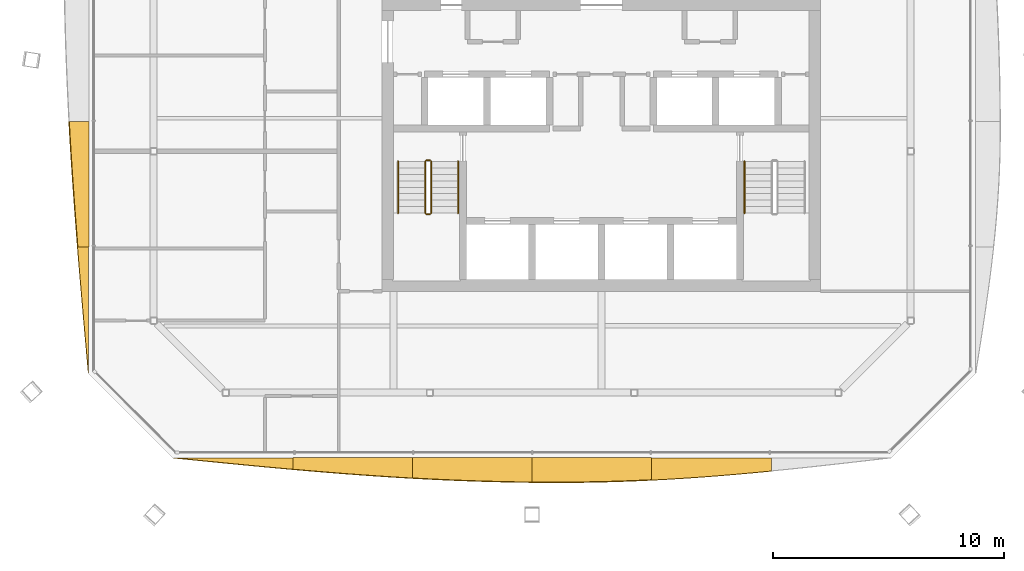
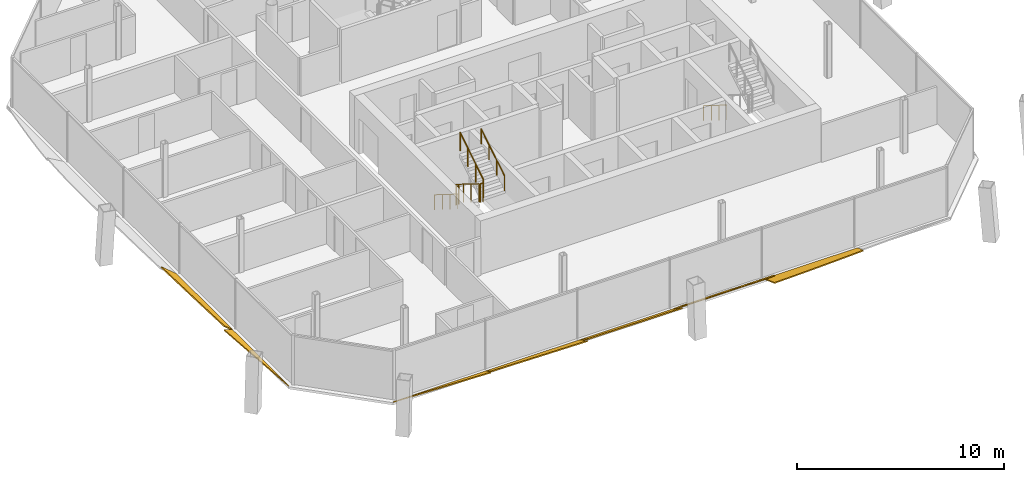
# One storey, part 15 of 18: 7 railings, 7 shading devices.
"""IFC4 building model written with IfcOpenShell, lengths in metres."""

from ifc_helpers import new_model, si_unit, direction, frame, origin, origin_2d, place, context, subcontext, project, spatial, polyline, circle, outline, extrude, material, layer, layer_set, type_object, element, save


model = new_model("IFC4")

# Units and contexts
model_context = context("Model", 3, precision=1e-05, world=origin(), true_north=direction((0.0, 1.0)))
body_context = subcontext(model_context, "Body", "Model", "MODEL_VIEW")
ifc_project = project(units=[si_unit("LENGTHUNIT", "METRE"), si_unit("AREAUNIT", "SQUARE_METRE"), si_unit("VOLUMEUNIT", "CUBIC_METRE"), si_unit("PLANEANGLEUNIT", "RADIAN"), si_unit("MASSUNIT", "GRAM", prefix="KILO")], contexts=[model_context])

# Site, building, storey
site_placement = place(None, origin())
site = spatial("IfcSite", under=ifc_project, at=site_placement, CompositionType="ELEMENT")
building_placement = place(site_placement, origin())
building = spatial("IfcBuilding", under=site, at=building_placement, Name="Tskaro Facet Tower", CompositionType="ELEMENT")
storey_placement = place(building_placement, frame((0.0, 0.0, 223.5)))
storey = spatial("IfcBuildingStorey", under=building, at=storey_placement, Name="L57", CompositionType="ELEMENT", Elevation=223.5)

# Shading devices
ifc_material_1 = material(Name="Bronze anodised aluminium 6063-T6", Category="aluminium")
ifc_layer = layer(ifc_material_1, 0.06005859375, Name="Bronze anodised aluminium 6063-T6")
ifc_layer_set = layer_set([ifc_layer], Name="Bronze anodised aluminium 6063-T6")
shading_device_type = type_object("IfcShadingDeviceType", Name="Bronze sun blade (FN1)", PredefinedType="USERDEFINED", material=ifc_layer_set)
shading_device_1_placement = place(storey_placement, frame((-18.5390625, -19.209716796875, 0.054443359375), z_axis=(2.1691242e-05, 0.422610438471, 0.906311434787), x_axis=(0.999999999765, -9.166945e-06, -1.965902e-05)))
element("IfcShadingDevice", 1, at=shading_device_1_placement, inside=storey, type_object=shading_device_type, Name="Fin blade south 1", ObjectType="FIN", PredefinedType="USERDEFINED", context=body_context, shape_type="SweptSolid", body=[
    extrude(outline(polyline([(0.0, 0.0), (5.179687498781453, 8.774731937962518e-21), (5.179687501230502, -0.5513647133400102), (4.43969726335591, -0.4776340349004652), (3.699707031574956, -0.40161733505641567), (2.959960939151475, -0.32374223400125546), (2.2199707000360163, -0.24411190811158856), (1.4799804686051834, -0.16350825077155295), (0.7399902330218208, -0.08191634729417129), (0.0, 0.0)])), origin(), (0.0, 0.0, -1.0), 0.06005859375),
])
shading_device_2_placement = place(storey_placement, frame((-13.359375, -19.205078125, 0.052001953125), z_axis=(1.7703892e-05, 0.499970297768, 0.866042551516), x_axis=(0.999999999843, -8.85142e-06, -1.5332324e-05)))
element("IfcShadingDevice", 2, at=shading_device_2_placement, inside=storey, type_object=shading_device_type, Name="Fin blade south 2", ObjectType="FIN", PredefinedType="USERDEFINED", context=body_context, shape_type="SweptSolid", body=[
    extrude(outline(polyline([(0.0, 0.0), (5.1796874991882715, 0.0), (5.1796875011842465, -1.0192987984321222), (4.439697265661819, -0.9688792287485695), (3.6997070308349738, -0.9136446135678136), (2.9599609357464174, -0.8539284521206895), (2.21997070346821, -0.7901536167468706), (1.4799804671388268, -0.7225642335683524), (0.7399902348234937, -0.651461111863811), (-9.642758718075752e-10, -0.5770883777552414), (0.0, 0.0)])), origin(), (0.0, 0.0, -1.0), 0.06005859375),
])
shading_device_3_placement = place(storey_placement, frame((-8.1796875, -19.20068359375, 0.049072265625), z_axis=(-6.791143e-06, 0.573640452218, 0.81910721614), x_axis=(0.999999999977, 3.895674e-06, 5.562674e-06)))
element("IfcShadingDevice", 3, at=shading_device_3_placement, inside=storey, type_object=shading_device_type, Name="Fin blade south 3", ObjectType="FIN", PredefinedType="USERDEFINED", context=body_context, shape_type="SweptSolid", body=[
    extrude(outline(polyline([(0.0, 0.0), (5.179687499880558, 0.0), (5.1796874998729985, -1.292970409564638), (4.439697266076774, -1.2805099417439865), (3.699707031475385, -1.2614091892575143), (2.959716796882797, -1.2363482046776781), (2.219970702924004, -1.205326988004478), (1.479980468349017, -1.1683455392379132), (0.7399902341898131, -1.1257438846642125), (-5.046999097129985e-10, -1.077722001631071), (0.0, 0.0)])), origin(), (0.0, 0.0, -1.0), 0.06005859375),
])
shading_device_4_placement = place(storey_placement, frame((-3.0, -19.196533203125, 0.0458984375), z_axis=(8.26036e-06, 0.642872858792, 0.765972902497), x_axis=(0.999999999966, -5.310361e-06, -6.327212e-06)))
element("IfcShadingDevice", 4, at=shading_device_4_placement, inside=storey, type_object=shading_device_type, Name="Fin blade south 4", ObjectType="FIN", PredefinedType="USERDEFINED", context=body_context, shape_type="SweptSolid", body=[
    extrude(outline(polyline([(0.0, 0.0), (5.179687499823286, 0.0), (5.179687500314043, -1.2567132432777803), (4.439697265937462, -1.3003823512878716), (3.699707030291854, -1.3358933476034545), (2.9597167967149294, -1.3625883729767345), (2.219970702990477, -1.3804373736861035), (1.4799804678685133, -1.3894403497315615), (1.118896485602273, -1.3905022729072747), (0.7399902348152344, -1.3896273548347164), (-2.518372239245008e-10, -1.3826881176974681), (0.0, 0.0)])), origin(), (0.0, 0.0, -1.0), 0.06005859375),
])
shading_device_5_placement = place(storey_placement, frame((2.1796875, -19.214599609375, 0.056396484375), z_axis=(-4.392007e-06, 0.342057498777, 0.939679023662), x_axis=(0.99999999999, 1.502319e-06, 4.127077e-06)))
element("IfcShadingDevice", 5, at=shading_device_5_placement, inside=storey, type_object=shading_device_type, Name="Fin blade south 5", ObjectType="FIN", PredefinedType="USERDEFINED", context=body_context, shape_type="SweptSolid", body=[
    extrude(outline(polyline([(0.0, 0.0), (5.179687499950043, -1.0968414922453147e-21), (5.1796874997005755, -0.6061225533911162), (4.439697265130785, -0.6811917123786616), (3.6997070317582668, -0.751943285698161), (2.95971679692704, -0.8178973291308614), (2.2197265627450227, -0.8784491113358853), (1.479980468188814, -0.9332021982260178), (0.7399902347571482, -0.9818647824160581), (-3.145160909695959e-10, -1.0244157473355306), (0.0, 0.0)])), origin(), (0.0, 0.0, -1.0), 0.06005859375),
])
shading_device_6_placement = place(storey_placement, frame((-22.196533203125, -4.63818359375, 0.0458984375), z_axis=(0.64287179726, -1.39534e-06, 0.765973793472), x_axis=(-8.97025e-07, -0.999999999999, -1.068794e-06)))
element("IfcShadingDevice", 6, at=shading_device_6_placement, inside=storey, type_object=shading_device_type, Name="Fin blade west 4", ObjectType="FIN", PredefinedType="USERDEFINED", context=body_context, shape_type="SweptSolid", body=[
    extrude(outline(polyline([(0.0, 0.0), (5.450439453119694, -5.770877242264482e-22), (5.450439453115648, -0.614837130706472), (4.769042968648191, -0.685014258894265), (4.087890625057348, -0.7531276484237573), (3.4064941406551195, -0.818803288653605), (2.725097656327441, -0.8818842284614297), (2.0439453125222493, -0.9418395060835093), (1.3625488282085443, -0.9988561268405161), (0.6813964841983247, -1.052560080091106), (-1.7536361853618117e-11, -1.1028244689111943), (0.0, 0.0)])), origin(), (0.0, 0.0, -1.0), 0.06005859375),
])
shading_device_7_placement = place(storey_placement, frame((-22.214599609375, -10.088623046875, 0.056396484375), z_axis=(0.341993027702, 1.416035e-06, 0.939702489622), x_axis=(4.84274e-07, -0.999999999999, 1.330652e-06)))
element("IfcShadingDevice", 7, at=shading_device_7_placement, inside=storey, type_object=shading_device_type, Name="Fin blade west 5", ObjectType="FIN", PredefinedType="USERDEFINED", context=body_context, shape_type="SweptSolid", body=[
    extrude(outline(polyline([(0.0, 0.0), (5.450439453119536, 0.0), (4.769042968868522, -0.06472345835863041), (4.08789062491764, -0.1293634223257319), (3.406494140578222, -0.19354454718657235), (2.7250976561503992, -0.2571833385496229), (2.043945312495634, -0.31982095730862237), (1.3625488282456957, -0.3816868230167014), (0.681396484355545, -0.4419256882314106), (-1.1547711851291381e-11, -0.5011633808420688), (0.0, 0.0)])), origin(), (0.0, 0.0, -1.0), 0.06005859375),
])

# Railings
ifc_material_2 = material(Name="Stainless steel", Category="steel")
railing_type_1 = type_object("IfcRailingType", Name="RL-GUARD-1100", PredefinedType="GUARDRAIL", material=ifc_material_2)
railing_1_placement = place(storey_placement, frame((-7.625, -6.375, 0.175048828125)))
element("IfcRailing", 8, at=railing_1_placement, inside=storey, type_object=railing_type_1, Name="L57 ST-1 stair guard 1", PredefinedType="GUARDRAIL", context=body_context, shape_type="SweptSolid", body=[
    extrude(circle(Radius=0.02392578125, at=origin_2d()), frame((0.0, 0.0, 1.076171875), z_axis=(0.0, -0.848013881152, 0.529974015752), x_axis=(1.0, 0.0, 0.0)), (0.0, 0.0, 1.0), 2.641357421875),
    extrude(circle(Radius=0.02099609375, at=origin_2d()), origin(), (0.0, 0.0, 1.0), 1.052001953125),
    extrude(circle(Radius=0.02099609375, at=origin_2d()), frame((0.0, -0.74658203125, 0.466552734375)), (0.0, 0.0, 1.0), 1.052001953125),
    extrude(circle(Radius=0.02099609375, at=origin_2d()), frame((0.0, -1.493408203125, 0.933349609375)), (0.0, 0.0, 1.0), 1.052001953125),
    extrude(circle(Radius=0.02099609375, at=origin_2d()), frame((0.0, -2.239990234375, 1.39990234375)), (0.0, 0.0, 1.0), 1.052001953125),
])
railing_2_placement = place(storey_placement, frame((-7.574951171875, -8.6650390625, 1.574951171875)))
element("IfcRailing", 9, at=railing_2_placement, inside=storey, type_object=railing_type_1, Name="L57 ST-1 stair guard 2", PredefinedType="GUARDRAIL", context=body_context, shape_type="SweptSolid", body=[
    extrude(circle(Radius=0.02392578125, at=origin_2d()), frame((0.0, 0.0, 1.076171875), z_axis=(1.0, 0.0, 0.0), x_axis=(0.0, 1.0, 0.0)), (0.0, 0.0, 1.0), 0.14990234375),
    extrude(circle(Radius=0.02099609375, at=origin_2d()), origin(), (0.0, 0.0, 1.0), 1.052001953125),
    extrude(circle(Radius=0.02099609375, at=origin_2d()), frame((0.14990234375, 0.0, 0.0)), (0.0, 0.0, 1.0), 1.052001953125),
])
railing_3_placement = place(storey_placement, frame((-7.375, -8.614990234375, 1.75)))
element("IfcRailing", 10, at=railing_3_placement, inside=storey, type_object=railing_type_1, Name="L57 ST-1 stair guard 3", PredefinedType="GUARDRAIL", context=body_context, shape_type="SweptSolid", body=[
    extrude(circle(Radius=0.02392578125, at=origin_2d()), frame((0.0, 0.0, 1.076171875), z_axis=(0.0, 0.848013881152, 0.529974015752), x_axis=(-1.0, 0.0, 0.0)), (0.0, 0.0, 1.0), 2.641357421875),
    extrude(circle(Radius=0.02099609375, at=origin_2d()), origin(), (0.0, 0.0, 1.0), 1.052001953125),
    extrude(circle(Radius=0.02099609375, at=origin_2d()), frame((0.0, 0.74658203125, 0.466552734375)), (0.0, 0.0, 1.0), 1.052001953125),
    extrude(circle(Radius=0.02099609375, at=origin_2d()), frame((0.0, 1.493408203125, 0.933349609375)), (0.0, 0.0, 1.0), 1.052001953125),
    extrude(circle(Radius=0.02099609375, at=origin_2d()), frame((0.0, 2.239990234375, 1.39990234375)), (0.0, 0.0, 1.0), 1.052001953125),
])
railing_4_placement = place(storey_placement, frame((-7.574951171875, -6.324951171875, 0.0)))
element("IfcRailing", 11, at=railing_4_placement, inside=storey, type_object=railing_type_1, Name="L57 ST-1 stair guard 4", PredefinedType="GUARDRAIL", context=body_context, shape_type="SweptSolid", body=[
    extrude(circle(Radius=0.02392578125, at=origin_2d()), frame((0.0, 0.0, 1.076171875), z_axis=(1.0, 0.0, 0.0), x_axis=(0.0, 1.0, 0.0)), (0.0, 0.0, 1.0), 0.14990234375),
    extrude(circle(Radius=0.02099609375, at=origin_2d()), origin(), (0.0, 0.0, 1.0), 1.052001953125),
    extrude(circle(Radius=0.02099609375, at=origin_2d()), frame((0.14990234375, 0.0, 0.0)), (0.0, 0.0, 1.0), 1.052001953125),
])
railing_type_2 = type_object("IfcRailingType", Name="RL-HANDRAIL-900", PredefinedType="HANDRAIL", material=ifc_material_2)
railing_5_placement = place(storey_placement, frame((-8.800048828125, -6.375, 0.175048828125)))
element("IfcRailing", 12, at=railing_5_placement, inside=storey, type_object=railing_type_2, Name="L57 ST-1 stair handrail 1", PredefinedType="HANDRAIL", context=body_context, shape_type="SweptSolid", body=[
    extrude(circle(Radius=0.02392578125, at=origin_2d()), frame((0.0, 0.0, 0.8759765625), z_axis=(0.0, -0.848013881152, 0.529974015752), x_axis=(1.0, 0.0, 0.0)), (0.0, 0.0, 1.0), 2.641357421875),
    extrude(circle(Radius=0.02099609375, at=origin_2d()), origin(), (0.0, 0.0, 1.0), 0.851806640625),
    extrude(circle(Radius=0.02099609375, at=origin_2d()), frame((0.0, -0.74658203125, 0.466552734375)), (0.0, 0.0, 1.0), 0.851806640625),
    extrude(circle(Radius=0.02099609375, at=origin_2d()), frame((0.0, -1.493408203125, 0.933349609375)), (0.0, 0.0, 1.0), 0.851806640625),
    extrude(circle(Radius=0.02099609375, at=origin_2d()), frame((0.0, -2.239990234375, 1.39990234375)), (0.0, 0.0, 1.0), 0.851806640625),
])
railing_6_placement = place(storey_placement, frame((-6.199951171875, -8.614990234375, 1.75)))
element("IfcRailing", 13, at=railing_6_placement, inside=storey, type_object=railing_type_2, Name="L57 ST-1 stair handrail 2", PredefinedType="HANDRAIL", context=body_context, shape_type="SweptSolid", body=[
    extrude(circle(Radius=0.02392578125, at=origin_2d()), frame((0.0, 0.0, 0.8759765625), z_axis=(0.0, 0.848013881152, 0.529974015752), x_axis=(-1.0, 0.0, 0.0)), (0.0, 0.0, 1.0), 2.641357421875),
    extrude(circle(Radius=0.02099609375, at=origin_2d()), origin(), (0.0, 0.0, 1.0), 0.851806640625),
    extrude(circle(Radius=0.02099609375, at=origin_2d()), frame((0.0, 0.74658203125, 0.466552734375)), (0.0, 0.0, 1.0), 0.851806640625),
    extrude(circle(Radius=0.02099609375, at=origin_2d()), frame((0.0, 1.493408203125, 0.933349609375)), (0.0, 0.0, 1.0), 0.851806640625),
    extrude(circle(Radius=0.02099609375, at=origin_2d()), frame((0.0, 2.239990234375, 1.39990234375)), (0.0, 0.0, 1.0), 0.851806640625),
])
railing_7_placement = place(storey_placement, frame((6.199951171875, -6.375, 0.175048828125)))
element("IfcRailing", 14, at=railing_7_placement, inside=storey, type_object=railing_type_2, Name="L57 ST-2 stair handrail 1", PredefinedType="HANDRAIL", context=body_context, shape_type="SweptSolid", body=[
    extrude(circle(Radius=0.02392578125, at=origin_2d()), frame((0.0, 0.0, 0.8759765625), z_axis=(0.0, -0.848013881152, 0.529974015752), x_axis=(1.0, 0.0, 0.0)), (0.0, 0.0, 1.0), 2.641357421875),
    extrude(circle(Radius=0.02099609375, at=origin_2d()), origin(), (0.0, 0.0, 1.0), 0.851806640625),
    extrude(circle(Radius=0.02099609375, at=origin_2d()), frame((0.0, -0.74658203125, 0.466552734375)), (0.0, 0.0, 1.0), 0.851806640625),
    extrude(circle(Radius=0.02099609375, at=origin_2d()), frame((0.0, -1.493408203125, 0.933349609375)), (0.0, 0.0, 1.0), 0.851806640625),
    extrude(circle(Radius=0.02099609375, at=origin_2d()), frame((0.0, -2.239990234375, 1.39990234375)), (0.0, 0.0, 1.0), 0.851806640625),
])

save(model, "model.ifc")
